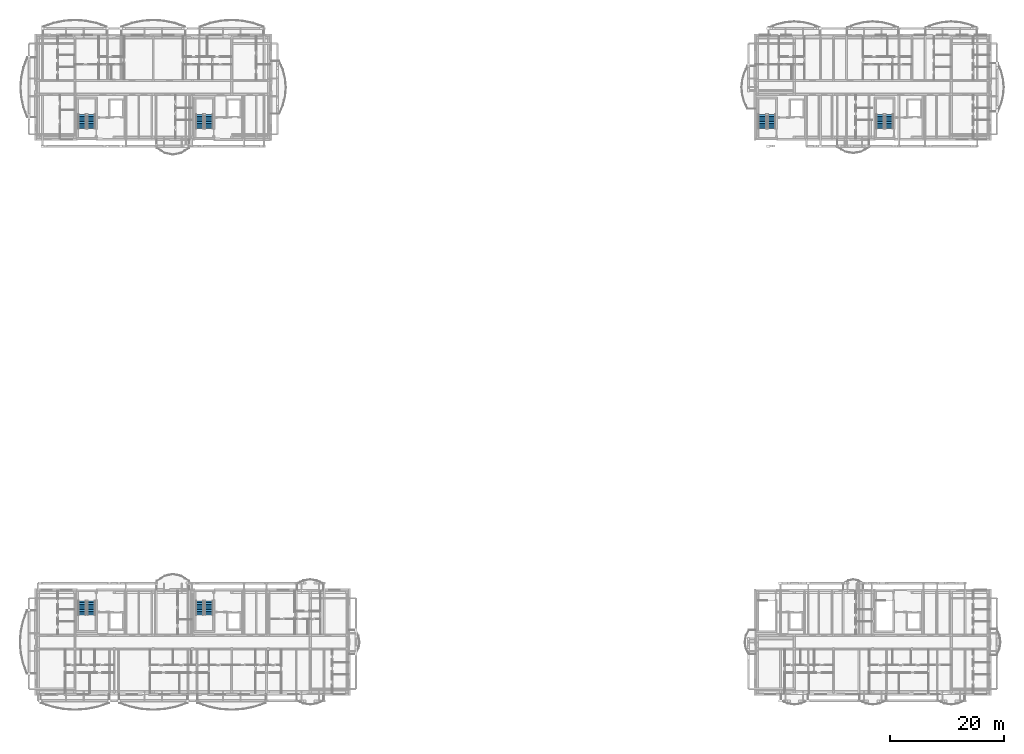
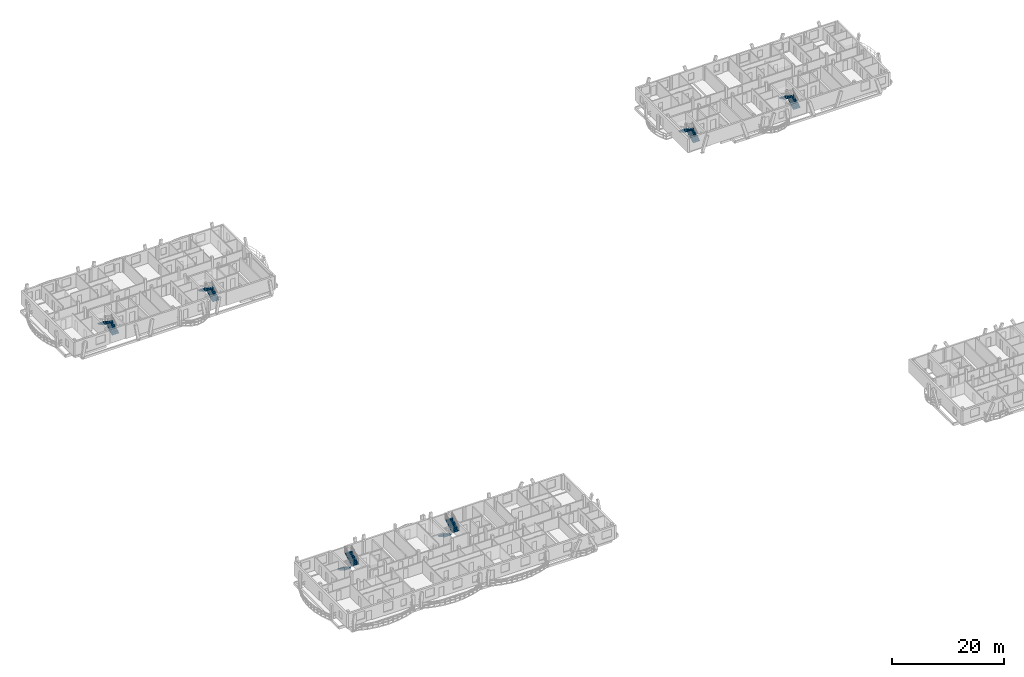
# One storey, part 32 of 41: 12 stair flights, 6 elements without a shape of their own.
"""IFC4 building model written with IfcOpenShell, lengths in metres."""

from ifc_helpers import new_model, si_unit, direction, frame, origin, place, context, subcontext, project, spatial, polyline, outline, extrude, material, type_object, element, aggregate, save


model = new_model("IFC4")

# Units and contexts
model_context = context("Model", 3, precision=1e-05, world=origin(), true_north=direction((0.0, 1.0)))
body_context = subcontext(model_context, "Body", "Model", "MODEL_VIEW")
ifc_project = project(units=[si_unit("LENGTHUNIT", "METRE"), si_unit("AREAUNIT", "SQUARE_METRE"), si_unit("VOLUMEUNIT", "CUBIC_METRE"), si_unit("PLANEANGLEUNIT", "RADIAN"), si_unit("MASSUNIT", "GRAM", prefix="KILO")], contexts=[model_context])

# Site, building, storey
site_placement = place(None, origin())
site = spatial("IfcSite", under=ifc_project, at=site_placement, CompositionType="ELEMENT")
building_placement = place(site_placement, origin())
building = spatial("IfcBuilding", under=site, at=building_placement, Name="Zavelmont Quarter", CompositionType="ELEMENT")
storey_placement = place(building_placement, frame((0.0, 0.0, 27.199951171875)))
storey = spatial("IfcBuildingStorey", under=building, at=storey_placement, Name="L08", CompositionType="ELEMENT", Elevation=27.199951171875)

# Stair, stair flights
ifc_material = material(Name="Concrete C35/45", Category="concrete")
stair_type = type_object("IfcStairType", Name="STR-1400-1778", PredefinedType="HALF_TURN_STAIR", material=ifc_material)
stair_1_placement = place(storey_placement, origin())
stair_1 = element("IfcStair", 1, at=stair_1_placement, inside=storey, type_object=stair_type, Name="L08 protected stair ST01", PredefinedType="HALF_TURN_STAIR")
stair_flight_type = type_object("IfcStairFlightType", Name="STF-1400-1778", PredefinedType="STRAIGHT", material=ifc_material)
stair_flight_1_placement = place(storey_placement, frame((8.199951171875, 16.449951171875, 0.0), z_axis=(0.0, 0.0, 1.0), x_axis=(0.0, -1.0, 0.0)))
stair_flight_1 = element("IfcStairFlight", 2, at=stair_flight_1_placement, type_object=stair_flight_type, Name="ST01 flight 1", NumberOfRisers=9, NumberOfTreads=8, PredefinedType="STRAIGHT", RiserHeight=0.177777778, TreadLength=0.31, context=body_context, shape_type="SweptSolid", body=[
    extrude(outline(polyline([(0.0, 0.0), (0.0, 0.177734375), (0.31005859375, 0.177734375), (0.31005859375, 0.35546875), (0.6201171875, 0.35546875), (0.6201171875, 0.533447265625), (0.929931640625, 0.533447265625), (0.929931640625, 0.711181640625), (1.239990234375, 0.711181640625), (1.239990234375, 0.888916015625), (1.550048828125, 0.888916015625), (1.550048828125, 1.066650390625), (1.860107421875, 1.066650390625), (1.860107421875, 1.244384765625), (2.169921875, 1.244384765625), (2.169921875, 1.422119140625), (2.47998046875, 1.422119140625), (2.47998046875, 1.60009765625), (2.47998046875, 1.23779296875), (0.321533203125, 0.0), (0.0, 0.0)])), frame((0.0, 0.699951171875, 0.0), z_axis=(0.0, -1.0, 0.0), x_axis=(1.0, 0.0, 0.0)), (0.0, 0.0, 1.0), 1.39990234375),
])
stair_flight_2_placement = place(storey_placement, frame((9.800048828125, 13.969970703125, 1.60009765625), z_axis=(0.0, 0.0, 1.0), x_axis=(0.0, 1.0, 0.0)))
stair_flight_2 = element("IfcStairFlight", 3, at=stair_flight_2_placement, type_object=stair_flight_type, Name="ST01 flight 2", NumberOfRisers=9, NumberOfTreads=8, PredefinedType="STRAIGHT", RiserHeight=0.177777778, TreadLength=0.31, context=body_context, shape_type="SweptSolid", body=[
    extrude(outline(polyline([(0.0, 0.0), (0.0, 0.177734375), (0.31005859375, 0.177734375), (0.31005859375, 0.35546875), (0.6201171875, 0.35546875), (0.6201171875, 0.533447265625), (0.929931640625, 0.533447265625), (0.929931640625, 0.711181640625), (1.239990234375, 0.711181640625), (1.239990234375, 0.888916015625), (1.550048828125, 0.888916015625), (1.550048828125, 1.066650390625), (1.860107421875, 1.066650390625), (1.860107421875, 1.244384765625), (2.169921875, 1.244384765625), (2.169921875, 1.422119140625), (2.47998046875, 1.422119140625), (2.47998046875, 1.60009765625), (2.47998046875, 1.23779296875), (0.321533203125, 0.0), (0.0, 0.0)])), frame((0.0, 0.699951171875, 0.0), z_axis=(0.0, -1.0, 0.0), x_axis=(1.0, 0.0, 0.0)), (0.0, 0.0, 1.0), 1.39990234375),
])
aggregate(stair_1, [stair_flight_1, stair_flight_2])

stair_2_placement = place(storey_placement, origin())
stair_2 = element("IfcStair", 4, at=stair_2_placement, inside=storey, type_object=stair_type, Name="L08 protected stair ST02", PredefinedType="HALF_TURN_STAIR")
stair_flight_3_placement = place(storey_placement, frame((28.89990234375, 16.449951171875, 0.0), z_axis=(0.0, 0.0, 1.0), x_axis=(0.0, -1.0, 0.0)))
stair_flight_3 = element("IfcStairFlight", 5, at=stair_flight_3_placement, type_object=stair_flight_type, Name="ST02 flight 1", NumberOfRisers=9, NumberOfTreads=8, PredefinedType="STRAIGHT", RiserHeight=0.177777778, TreadLength=0.31, context=body_context, shape_type="SweptSolid", body=[
    extrude(outline(polyline([(0.0, 0.0), (0.0, 0.177734375), (0.31005859375, 0.177734375), (0.31005859375, 0.35546875), (0.6201171875, 0.35546875), (0.6201171875, 0.533447265625), (0.929931640625, 0.533447265625), (0.929931640625, 0.711181640625), (1.239990234375, 0.711181640625), (1.239990234375, 0.888916015625), (1.550048828125, 0.888916015625), (1.550048828125, 1.066650390625), (1.860107421875, 1.066650390625), (1.860107421875, 1.244384765625), (2.169921875, 1.244384765625), (2.169921875, 1.422119140625), (2.47998046875, 1.422119140625), (2.47998046875, 1.60009765625), (2.47998046875, 1.23779296875), (0.321533203125, 0.0), (0.0, 0.0)])), frame((0.0, 0.699951171875, 0.0), z_axis=(0.0, -1.0, 0.0), x_axis=(1.0, 0.0, 0.0)), (0.0, 0.0, 1.0), 1.39990234375),
])
stair_flight_4_placement = place(storey_placement, frame((30.5, 13.969970703125, 1.60009765625), z_axis=(0.0, 0.0, 1.0), x_axis=(0.0, 1.0, 0.0)))
stair_flight_4 = element("IfcStairFlight", 6, at=stair_flight_4_placement, type_object=stair_flight_type, Name="ST02 flight 2", NumberOfRisers=9, NumberOfTreads=8, PredefinedType="STRAIGHT", RiserHeight=0.177777778, TreadLength=0.31, context=body_context, shape_type="SweptSolid", body=[
    extrude(outline(polyline([(0.0, 0.0), (0.0, 0.177734375), (0.31005859375, 0.177734375), (0.31005859375, 0.35546875), (0.6201171875, 0.35546875), (0.6201171875, 0.533447265625), (0.929931640625, 0.533447265625), (0.929931640625, 0.711181640625), (1.239990234375, 0.711181640625), (1.239990234375, 0.888916015625), (1.550048828125, 0.888916015625), (1.550048828125, 1.066650390625), (1.860107421875, 1.066650390625), (1.860107421875, 1.244384765625), (2.169921875, 1.244384765625), (2.169921875, 1.422119140625), (2.47998046875, 1.422119140625), (2.47998046875, 1.60009765625), (2.47998046875, 1.23779296875), (0.321533203125, 0.0), (0.0, 0.0)])), frame((0.0, 0.699951171875, 0.0), z_axis=(0.0, -1.0, 0.0), x_axis=(1.0, 0.0, 0.0)), (0.0, 0.0, 1.0), 1.39990234375),
])
aggregate(stair_2, [stair_flight_3, stair_flight_4])

stair_3_placement = place(storey_placement, origin())
stair_3 = element("IfcStair", 7, at=stair_3_placement, inside=storey, type_object=stair_type, Name="L08 protected stair ST03", PredefinedType="HALF_TURN_STAIR")
stair_flight_5_placement = place(storey_placement, frame((9.800048828125, 99.550048828125, 0.0), z_axis=(0.0, 0.0, 1.0), x_axis=(0.0, 1.0, 0.0)))
stair_flight_5 = element("IfcStairFlight", 8, at=stair_flight_5_placement, type_object=stair_flight_type, Name="ST03 flight 1", NumberOfRisers=9, NumberOfTreads=8, PredefinedType="STRAIGHT", RiserHeight=0.177777778, TreadLength=0.31, context=body_context, shape_type="SweptSolid", body=[
    extrude(outline(polyline([(0.0, 0.0), (0.0, 0.177734375), (0.31005859375, 0.177734375), (0.31005859375, 0.35546875), (0.6201171875, 0.35546875), (0.6201171875, 0.533447265625), (0.929931640625, 0.533447265625), (0.929931640625, 0.711181640625), (1.239990234375, 0.711181640625), (1.239990234375, 0.888916015625), (1.550048828125, 0.888916015625), (1.550048828125, 1.066650390625), (1.860107421875, 1.066650390625), (1.860107421875, 1.244384765625), (2.169921875, 1.244384765625), (2.169921875, 1.422119140625), (2.47998046875, 1.422119140625), (2.47998046875, 1.60009765625), (2.47998046875, 1.23779296875), (0.321533203125, 0.0), (0.0, 0.0)])), frame((0.0, 0.699951171875, 0.0), z_axis=(0.0, -1.0, 0.0), x_axis=(1.0, 0.0, 0.0)), (0.0, 0.0, 1.0), 1.39990234375),
])
stair_flight_6_placement = place(storey_placement, frame((8.199951171875, 102.030029296875, 1.60009765625), z_axis=(0.0, 0.0, 1.0), x_axis=(0.0, -1.0, 0.0)))
stair_flight_6 = element("IfcStairFlight", 9, at=stair_flight_6_placement, type_object=stair_flight_type, Name="ST03 flight 2", NumberOfRisers=9, NumberOfTreads=8, PredefinedType="STRAIGHT", RiserHeight=0.177777778, TreadLength=0.31, context=body_context, shape_type="SweptSolid", body=[
    extrude(outline(polyline([(0.0, 0.0), (0.0, 0.177734375), (0.31005859375, 0.177734375), (0.31005859375, 0.35546875), (0.6201171875, 0.35546875), (0.6201171875, 0.533447265625), (0.929931640625, 0.533447265625), (0.929931640625, 0.711181640625), (1.239990234375, 0.711181640625), (1.239990234375, 0.888916015625), (1.550048828125, 0.888916015625), (1.550048828125, 1.066650390625), (1.860107421875, 1.066650390625), (1.860107421875, 1.244384765625), (2.169921875, 1.244384765625), (2.169921875, 1.422119140625), (2.47998046875, 1.422119140625), (2.47998046875, 1.60009765625), (2.47998046875, 1.23779296875), (0.321533203125, 0.0), (0.0, 0.0)])), frame((0.0, 0.699951171875, 0.0), z_axis=(0.0, -1.0, 0.0), x_axis=(1.0, 0.0, 0.0)), (0.0, 0.0, 1.0), 1.39990234375),
])
aggregate(stair_3, [stair_flight_5, stair_flight_6])

stair_4_placement = place(storey_placement, origin())
stair_4 = element("IfcStair", 10, at=stair_4_placement, inside=storey, type_object=stair_type, Name="L08 protected stair ST04", PredefinedType="HALF_TURN_STAIR")
stair_flight_7_placement = place(storey_placement, frame((30.5, 99.550048828125, 0.0), z_axis=(0.0, 0.0, 1.0), x_axis=(0.0, 1.0, 0.0)))
stair_flight_7 = element("IfcStairFlight", 11, at=stair_flight_7_placement, type_object=stair_flight_type, Name="ST04 flight 1", NumberOfRisers=9, NumberOfTreads=8, PredefinedType="STRAIGHT", RiserHeight=0.177777778, TreadLength=0.31, context=body_context, shape_type="SweptSolid", body=[
    extrude(outline(polyline([(0.0, 0.0), (0.0, 0.177734375), (0.31005859375, 0.177734375), (0.31005859375, 0.35546875), (0.6201171875, 0.35546875), (0.6201171875, 0.533447265625), (0.929931640625, 0.533447265625), (0.929931640625, 0.711181640625), (1.239990234375, 0.711181640625), (1.239990234375, 0.888916015625), (1.550048828125, 0.888916015625), (1.550048828125, 1.066650390625), (1.860107421875, 1.066650390625), (1.860107421875, 1.244384765625), (2.169921875, 1.244384765625), (2.169921875, 1.422119140625), (2.47998046875, 1.422119140625), (2.47998046875, 1.60009765625), (2.47998046875, 1.23779296875), (0.321533203125, 0.0), (0.0, 0.0)])), frame((0.0, 0.699951171875, 0.0), z_axis=(0.0, -1.0, 0.0), x_axis=(1.0, 0.0, 0.0)), (0.0, 0.0, 1.0), 1.39990234375),
])
stair_flight_8_placement = place(storey_placement, frame((28.89990234375, 102.030029296875, 1.60009765625), z_axis=(0.0, 0.0, 1.0), x_axis=(0.0, -1.0, 0.0)))
stair_flight_8 = element("IfcStairFlight", 12, at=stair_flight_8_placement, type_object=stair_flight_type, Name="ST04 flight 2", NumberOfRisers=9, NumberOfTreads=8, PredefinedType="STRAIGHT", RiserHeight=0.177777778, TreadLength=0.31, context=body_context, shape_type="SweptSolid", body=[
    extrude(outline(polyline([(0.0, 0.0), (0.0, 0.177734375), (0.31005859375, 0.177734375), (0.31005859375, 0.35546875), (0.6201171875, 0.35546875), (0.6201171875, 0.533447265625), (0.929931640625, 0.533447265625), (0.929931640625, 0.711181640625), (1.239990234375, 0.711181640625), (1.239990234375, 0.888916015625), (1.550048828125, 0.888916015625), (1.550048828125, 1.066650390625), (1.860107421875, 1.066650390625), (1.860107421875, 1.244384765625), (2.169921875, 1.244384765625), (2.169921875, 1.422119140625), (2.47998046875, 1.422119140625), (2.47998046875, 1.60009765625), (2.47998046875, 1.23779296875), (0.321533203125, 0.0), (0.0, 0.0)])), frame((0.0, 0.699951171875, 0.0), z_axis=(0.0, -1.0, 0.0), x_axis=(1.0, 0.0, 0.0)), (0.0, 0.0, 1.0), 1.39990234375),
])
aggregate(stair_4, [stair_flight_7, stair_flight_8])

stair_5_placement = place(storey_placement, origin())
stair_5 = element("IfcStair", 13, at=stair_5_placement, inside=storey, type_object=stair_type, Name="L08 protected stair ST05", PredefinedType="HALF_TURN_STAIR")
stair_flight_9_placement = place(storey_placement, frame((129.5, 99.550048828125, 0.0), z_axis=(0.0, 0.0, 1.0), x_axis=(0.0, 1.0, 0.0)))
stair_flight_9 = element("IfcStairFlight", 14, at=stair_flight_9_placement, type_object=stair_flight_type, Name="ST05 flight 1", NumberOfRisers=9, NumberOfTreads=8, PredefinedType="STRAIGHT", RiserHeight=0.177777778, TreadLength=0.31, context=body_context, shape_type="SweptSolid", body=[
    extrude(outline(polyline([(0.0, 0.0), (0.0, 0.177734375), (0.31005859375, 0.177734375), (0.31005859375, 0.35546875), (0.6201171875, 0.35546875), (0.6201171875, 0.533447265625), (0.929931640625, 0.533447265625), (0.929931640625, 0.711181640625), (1.239990234375, 0.711181640625), (1.239990234375, 0.888916015625), (1.550048828125, 0.888916015625), (1.550048828125, 1.066650390625), (1.860107421875, 1.066650390625), (1.860107421875, 1.244384765625), (2.169921875, 1.244384765625), (2.169921875, 1.422119140625), (2.47998046875, 1.422119140625), (2.47998046875, 1.60009765625), (2.47998046875, 1.23779296875), (0.321533203125, 0.0), (0.0, 0.0)])), frame((0.0, 0.699951171875, 0.0), z_axis=(0.0, -1.0, 0.0), x_axis=(1.0, 0.0, 0.0)), (0.0, 0.0, 1.0), 1.39990234375),
])
stair_flight_10_placement = place(storey_placement, frame((127.89990234375, 102.030029296875, 1.60009765625), z_axis=(0.0, 0.0, 1.0), x_axis=(0.0, -1.0, 0.0)))
stair_flight_10 = element("IfcStairFlight", 15, at=stair_flight_10_placement, type_object=stair_flight_type, Name="ST05 flight 2", NumberOfRisers=9, NumberOfTreads=8, PredefinedType="STRAIGHT", RiserHeight=0.177777778, TreadLength=0.31, context=body_context, shape_type="SweptSolid", body=[
    extrude(outline(polyline([(0.0, 0.0), (0.0, 0.177734375), (0.31005859375, 0.177734375), (0.31005859375, 0.35546875), (0.6201171875, 0.35546875), (0.6201171875, 0.533447265625), (0.929931640625, 0.533447265625), (0.929931640625, 0.711181640625), (1.239990234375, 0.711181640625), (1.239990234375, 0.888916015625), (1.550048828125, 0.888916015625), (1.550048828125, 1.066650390625), (1.860107421875, 1.066650390625), (1.860107421875, 1.244384765625), (2.169921875, 1.244384765625), (2.169921875, 1.422119140625), (2.47998046875, 1.422119140625), (2.47998046875, 1.60009765625), (2.47998046875, 1.23779296875), (0.321533203125, 0.0), (0.0, 0.0)])), frame((0.0, 0.699951171875, 0.0), z_axis=(0.0, -1.0, 0.0), x_axis=(1.0, 0.0, 0.0)), (0.0, 0.0, 1.0), 1.39990234375),
])
aggregate(stair_5, [stair_flight_9, stair_flight_10])

stair_6_placement = place(storey_placement, origin())
stair_6 = element("IfcStair", 16, at=stair_6_placement, inside=storey, type_object=stair_type, Name="L08 protected stair ST06", PredefinedType="HALF_TURN_STAIR")
stair_flight_11_placement = place(storey_placement, frame((150.199951171875, 99.550048828125, 0.0), z_axis=(0.0, 0.0, 1.0), x_axis=(0.0, 1.0, 0.0)))
stair_flight_11 = element("IfcStairFlight", 17, at=stair_flight_11_placement, type_object=stair_flight_type, Name="ST06 flight 1", NumberOfRisers=9, NumberOfTreads=8, PredefinedType="STRAIGHT", RiserHeight=0.177777778, TreadLength=0.31, context=body_context, shape_type="SweptSolid", body=[
    extrude(outline(polyline([(0.0, 0.0), (0.0, 0.177734375), (0.31005859375, 0.177734375), (0.31005859375, 0.35546875), (0.6201171875, 0.35546875), (0.6201171875, 0.533447265625), (0.929931640625, 0.533447265625), (0.929931640625, 0.711181640625), (1.239990234375, 0.711181640625), (1.239990234375, 0.888916015625), (1.550048828125, 0.888916015625), (1.550048828125, 1.066650390625), (1.860107421875, 1.066650390625), (1.860107421875, 1.244384765625), (2.169921875, 1.244384765625), (2.169921875, 1.422119140625), (2.47998046875, 1.422119140625), (2.47998046875, 1.60009765625), (2.47998046875, 1.23779296875), (0.321533203125, 0.0), (0.0, 0.0)])), frame((0.0, 0.699951171875, 0.0), z_axis=(0.0, -1.0, 0.0), x_axis=(1.0, 0.0, 0.0)), (0.0, 0.0, 1.0), 1.39990234375),
])
stair_flight_12_placement = place(storey_placement, frame((148.60009765625, 102.030029296875, 1.60009765625), z_axis=(0.0, 0.0, 1.0), x_axis=(0.0, -1.0, 0.0)))
stair_flight_12 = element("IfcStairFlight", 18, at=stair_flight_12_placement, type_object=stair_flight_type, Name="ST06 flight 2", NumberOfRisers=9, NumberOfTreads=8, PredefinedType="STRAIGHT", RiserHeight=0.177777778, TreadLength=0.31, context=body_context, shape_type="SweptSolid", body=[
    extrude(outline(polyline([(0.0, 0.0), (0.0, 0.177734375), (0.31005859375, 0.177734375), (0.31005859375, 0.35546875), (0.6201171875, 0.35546875), (0.6201171875, 0.533447265625), (0.929931640625, 0.533447265625), (0.929931640625, 0.711181640625), (1.239990234375, 0.711181640625), (1.239990234375, 0.888916015625), (1.550048828125, 0.888916015625), (1.550048828125, 1.066650390625), (1.860107421875, 1.066650390625), (1.860107421875, 1.244384765625), (2.169921875, 1.244384765625), (2.169921875, 1.422119140625), (2.47998046875, 1.422119140625), (2.47998046875, 1.60009765625), (2.47998046875, 1.23779296875), (0.321533203125, 0.0), (0.0, 0.0)])), frame((0.0, 0.699951171875, 0.0), z_axis=(0.0, -1.0, 0.0), x_axis=(1.0, 0.0, 0.0)), (0.0, 0.0, 1.0), 1.39990234375),
])
aggregate(stair_6, [stair_flight_11, stair_flight_12])

save(model, "model.ifc")
